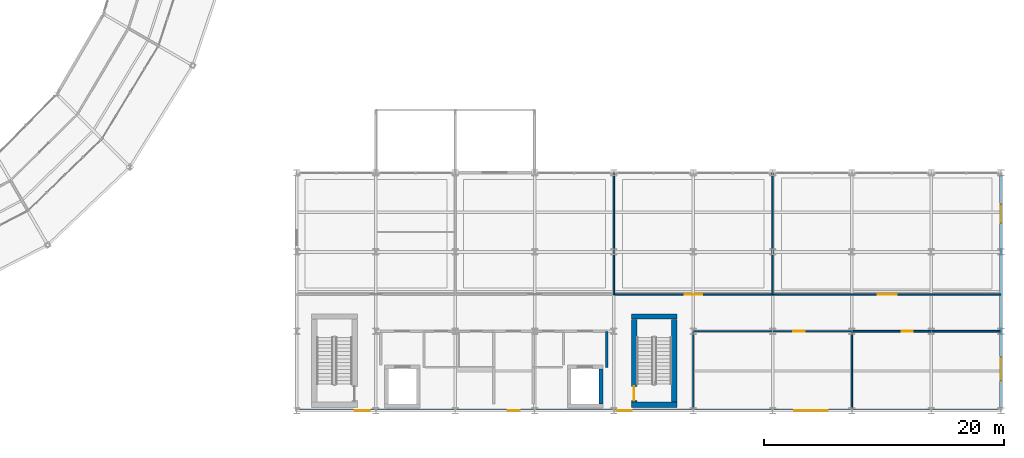
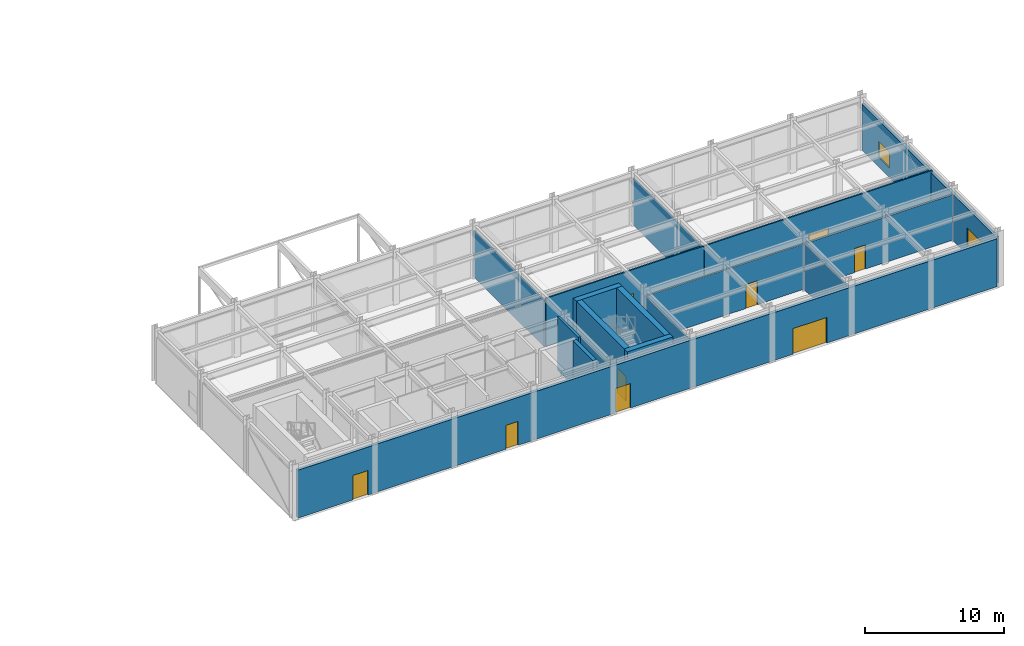
# One storey, part 129 of 144: 16 walls, 9 doors, 2 windows, 11 openings.
"""IFC4 building model written with IfcOpenShell, lengths in metres."""

from ifc_helpers import new_model, si_unit, direction, frame, frame_2d, origin, place, context, subcontext, project, spatial, rectangle, extrude, material, layer, layer_set, type_object, element, fill, save


model = new_model("IFC4")

# Units and contexts
model_context = context("Model", 3, precision=1e-05, world=origin(), true_north=direction((0.0, 1.0)))
body_context = subcontext(model_context, "Body", "Model", "MODEL_VIEW")
ifc_project = project(units=[si_unit("LENGTHUNIT", "METRE"), si_unit("AREAUNIT", "SQUARE_METRE"), si_unit("VOLUMEUNIT", "CUBIC_METRE"), si_unit("PLANEANGLEUNIT", "RADIAN"), si_unit("MASSUNIT", "GRAM", prefix="KILO")], contexts=[model_context])

# Site, building, storey
site_placement = place(None, origin())
site = spatial("IfcSite", under=ifc_project, at=site_placement, CompositionType="ELEMENT")
building_placement = place(site_placement, origin())
building = spatial("IfcBuilding", under=site, at=building_placement, Name="Karori Crest Natural Sciences Institute", CompositionType="ELEMENT")
storey_placement = place(building_placement, origin())
storey = spatial("IfcBuildingStorey", under=building, at=storey_placement, Name="L00", CompositionType="ELEMENT", Elevation=0.0)

# Walls
ifc_material_1 = material(Name="Concrete 50 MPa", Category="concrete")
ifc_layer_1 = layer(ifc_material_1, 0.449951171875, Name="Concrete 50 MPa")
ifc_layer_set_1 = layer_set([ifc_layer_1], Name="Concrete 50 MPa")
wall_type_1 = type_object("IfcWallType", Name="IWT-01", PredefinedType="SHEAR", material=ifc_layer_set_1)
for number, where, z_axis, x_axis, name in (
    (1, (131.449951171875, 1.27490234375, 0.0), (0.0, 0.0, 1.0), (1.0, 0.0, 0.0), "Shear wall IW-0121"),
    (2, (131.449951171875, 8.625, 0.0), (0.0, 0.0, 1.0), (1.0, 0.0, 0.0), "Shear wall IW-0122"),
):
    element("IfcWall", number, at=place(storey_placement, frame(where, z_axis=z_axis, x_axis=x_axis)), inside=storey, type_object=wall_type_1, Name=name, PredefinedType="SHEAR", context=body_context, shape_type="SweptSolid", body=[
        extrude(rectangle(XDim=3.800048828125, YDim=0.449951171875, at=frame_2d((1.89990234375, 0.0))), origin(), (0.0, 0.0, 1.0), 4.719970703125),
    ])

# Wall, opening, door
wall_1_placement = place(storey_placement, frame((131.675048828125, 1.501953125, 0.0), z_axis=(0.0, 0.0, 1.0), x_axis=(0.0, 1.0, 0.0)))
wall_1 = element("IfcWall", 3, at=wall_1_placement, inside=storey, type_object=wall_type_1, Name="Shear wall IW-0123", PredefinedType="SHEAR", context=body_context, shape_type="SweptSolid", body=[
    extrude(rectangle(XDim=6.89599609375, YDim=0.449951171875, at=frame_2d((3.447998046875, 0.0))), origin(), (0.0, 0.0, 1.0), 4.719970703125),
])
opening_1_placement = place(wall_1_placement, frame((0.1201171875, 0.0, 0.0)))
opening_1 = element("IfcOpeningElement", 4, at=opening_1_placement, cuts=wall_1, Name="Opening ID-0031", PredefinedType="OPENING", context=body_context, shape_type="SweptSolid", body=[
    extrude(rectangle(XDim=1.199951171875, YDim=2.14990234375, at=frame_2d((0.60009765625, 1.074951171875))), frame((0.0, 0.23486328125, 0.0), z_axis=(0.0, -1.0, 0.0), x_axis=(1.0, 0.0, 0.0)), (0.0, 0.0, 1.0), 0.469970703125),
])
ifc_material_2 = material(Name="Stainless steel 316 and fire-rated timber", Category="steel")
door_type_1 = type_object("IfcDoorType", Name="IDT-01", OperationType="NOTDEFINED", PredefinedType="DOOR", material=ifc_material_2)
door_1_placement = place(opening_1_placement, origin())
door_1 = element("IfcDoor", 5, at=door_1_placement, inside=storey, type_object=door_type_1, Name="Stair ST-04 fire door ID-0031", OperationType="SINGLE_SWING_LEFT", OverallHeight=2.14990234375, OverallWidth=1.199951171875, PredefinedType="DOOR", context=body_context, shape_type="SweptSolid", body=[
    extrude(rectangle(XDim=1.199951171875, YDim=2.14990234375, at=frame_2d((0.60009765625, 1.074951171875))), frame((0.0, 0.02490234375, 0.0), z_axis=(0.0, -1.0, 0.0), x_axis=(1.0, 0.0, 0.0)), (0.0, 0.0, 1.0), 0.050048828125),
])
fill(opening_1, door_1)

# Walls
wall_2_placement = place(storey_placement, frame((135.02490234375, 1.501953125, 0.0), z_axis=(0.0, 0.0, 1.0), x_axis=(0.0, 1.0, 0.0)))
element("IfcWall", 6, at=wall_2_placement, inside=storey, type_object=wall_type_1, Name="Shear wall IW-0124", PredefinedType="SHEAR", context=body_context, shape_type="SweptSolid", body=[
    extrude(rectangle(XDim=6.89599609375, YDim=0.449951171875, at=frame_2d((3.447998046875, 0.0))), origin(), (0.0, 0.0, 1.0), 4.719970703125),
])
ifc_layer_2 = layer(ifc_material_1, 0.320068359375, Name="Concrete 50 MPa")
ifc_layer_set_2 = layer_set([ifc_layer_2], Name="Concrete 50 MPa")
wall_type_2 = type_object("IfcWallType", Name="IWT-03", PredefinedType="SHEAR", material=ifc_layer_set_2)
wall_3_placement = place(storey_placement, frame((128.919921875, 1.342041015625, 0.0), z_axis=(0.0, 0.0, 1.0), x_axis=(0.0, 1.0, 0.0)))
element("IfcWall", 7, at=wall_3_placement, inside=storey, type_object=wall_type_2, Name="Shear wall IW-0360", PredefinedType="SHEAR", context=body_context, shape_type="SweptSolid", body=[
    extrude(rectangle(XDim=2.916015625, YDim=0.320068359375, at=frame_2d((1.4580078125, 0.0))), origin(), (0.0, 0.0, 1.0), 4.719970703125),
])
ifc_material_3 = material(Name="Concrete 40 MPa", Category="concrete")
ifc_layer_3 = layer(ifc_material_3, 0.199951171875, Name="Concrete 40 MPa")
ifc_layer_set_3 = layer_set([ifc_layer_3], Name="Concrete 40 MPa")
wall_type_3 = type_object("IfcWallType", Name="IWT-04", PredefinedType="SOLIDWALL", material=ifc_layer_set_3)
wall_4_placement = place(storey_placement, frame((129.39990234375, 4.39990234375, 0.0), z_axis=(0.0, 0.0, 1.0), x_axis=(0.0, 1.0, 0.0)))
element("IfcWall", 8, at=wall_4_placement, inside=storey, type_object=wall_type_3, Name="Partition wall IW-0580", PredefinedType="SOLIDWALL", context=body_context, shape_type="SweptSolid", body=[
    extrude(rectangle(XDim=3.0, YDim=0.199951171875, at=frame_2d((1.5, 0.0))), origin(), (0.0, 0.0, 1.0), 4.719970703125),
])

# Wall, opening, door
ifc_material_4 = material(Name="Acoustic steel-stud fireboard partition", Category="steel")
ifc_layer_4 = layer(ifc_material_4, 0.159912109375, Name="Acoustic steel-stud fireboard partition")
ifc_layer_set_4 = layer_set([ifc_layer_4], Name="Acoustic steel-stud fireboard partition")
wall_type_4 = type_object("IfcWallType", Name="IWT-05", PredefinedType="PARTITIONING", material=ifc_layer_set_4)
wall_5_placement = place(storey_placement, frame((149.802001953125, 7.39990234375, 0.0), z_axis=(0.0, 0.0, 1.0), x_axis=(1.0, 0.0, 0.0)))
wall_5 = element("IfcWall", 9, at=wall_5_placement, inside=storey, type_object=wall_type_4, Name="Partition wall IW-0594", PredefinedType="PARTITIONING", context=body_context, shape_type="SweptSolid", body=[
    extrude(rectangle(XDim=12.39794921875, YDim=0.159912109375, at=frame_2d((6.198974609375, 0.0))), origin(), (0.0, 0.0, 1.0), 3.992919921875),
])
opening_2_placement = place(wall_5_placement, frame((4.138916015625, 0.0, 0.0)))
opening_2 = element("IfcOpeningElement", 10, at=opening_2_placement, cuts=wall_5, Name="Opening ID-0094", PredefinedType="OPENING", context=body_context, shape_type="SweptSolid", body=[
    extrude(rectangle(XDim=0.919921875, YDim=2.1201171875, at=frame_2d((0.4599609375, 1.06005859375))), frame((0.0, 0.08984375, 0.0), z_axis=(0.0, -1.0, 0.0), x_axis=(1.0, 0.0, 0.0)), (0.0, 0.0, 1.0), 0.179931640625),
])
door_type_2 = type_object("IfcDoorType", Name="IDT-14", OperationType="NOTDEFINED", PredefinedType="DOOR", material=ifc_material_2)
door_2_placement = place(opening_2_placement, origin())
door_2 = element("IfcDoor", 11, at=door_2_placement, inside=storey, type_object=door_type_2, Name="Secure Cycle Store door ID-0094", OperationType="SINGLE_SWING_RIGHT", OverallHeight=2.1201171875, OverallWidth=0.919921875, PredefinedType="DOOR", context=body_context, shape_type="SweptSolid", body=[
    extrude(rectangle(XDim=0.919921875, YDim=2.1201171875, at=frame_2d((0.4599609375, 1.06005859375))), frame((0.0, 0.02490234375, 0.0), z_axis=(0.0, -1.0, 0.0), x_axis=(1.0, 0.0, 0.0)), (0.0, 0.0, 1.0), 0.050048828125),
])
fill(opening_2, door_2)

ifc_material_5 = material(Name="Write-up office acoustic partition")
ifc_layer_5 = layer(ifc_material_5, 0.1201171875, Name="Write-up office acoustic partition")
ifc_layer_set_5 = layer_set([ifc_layer_5], Name="Write-up office acoustic partition")
wall_type_5 = type_object("IfcWallType", Name="IWT-08", PredefinedType="PARTITIONING", material=ifc_layer_set_5)
wall_6_placement = place(storey_placement, frame((136.60009765625, 7.39990234375, 0.0), z_axis=(0.0, 0.0, 1.0), x_axis=(1.0, 0.0, 0.0)))
wall_6 = element("IfcWall", 12, at=wall_6_placement, inside=storey, type_object=wall_type_5, Name="Partition wall IW-0591", PredefinedType="PARTITIONING", context=body_context, shape_type="SweptSolid", body=[
    extrude(rectangle(XDim=13.199951171875, YDim=0.1201171875, at=frame_2d((6.60009765625, 0.0))), origin(), (0.0, 0.0, 1.0), 3.992919921875),
])
opening_3_placement = place(wall_6_placement, frame((8.324951171875, 0.0, 0.0)))
opening_3 = element("IfcOpeningElement", 13, at=opening_3_placement, cuts=wall_6, Name="Opening ID-0093", PredefinedType="OPENING", context=body_context, shape_type="SweptSolid", body=[
    extrude(rectangle(XDim=0.949951171875, YDim=2.10009765625, at=frame_2d((0.47509765625, 1.050048828125))), frame((0.0, 0.070068359375, 0.0), z_axis=(0.0, -1.0, 0.0), x_axis=(1.0, 0.0, 0.0)), (0.0, 0.0, 1.0), 0.14013671875),
])
ifc_material_6 = material(Name="Anodised aluminium and acoustic timber", Category="wood")
door_type_3 = type_object("IfcDoorType", Name="IDT-08", OperationType="NOTDEFINED", PredefinedType="DOOR", material=ifc_material_6)
door_3_placement = place(opening_3_placement, origin())
door_3 = element("IfcDoor", 14, at=door_3_placement, inside=storey, type_object=door_type_3, Name="Service Loading Dock and Goods Receiving door ID-0093", OperationType="SINGLE_SWING_LEFT", OverallHeight=2.10009765625, OverallWidth=0.949951171875, PredefinedType="DOOR", context=body_context, shape_type="SweptSolid", body=[
    extrude(rectangle(XDim=0.949951171875, YDim=2.10009765625, at=frame_2d((0.47509765625, 1.050048828125))), frame((0.0, 0.02490234375, 0.0), z_axis=(0.0, -1.0, 0.0), x_axis=(1.0, 0.0, 0.0)), (0.0, 0.0, 1.0), 0.050048828125),
])
fill(opening_3, door_3)

# Walls
wall_7_placement = place(storey_placement, frame((136.60009765625, 0.94189453125, 0.0), z_axis=(0.0, 0.0, 1.0), x_axis=(0.0, 1.0, 0.0)))
element("IfcWall", 15, at=wall_7_placement, inside=storey, type_object=wall_type_5, Name="Partition wall IW-0592", PredefinedType="PARTITIONING", context=body_context, shape_type="SweptSolid", body=[
    extrude(rectangle(XDim=6.39599609375, YDim=0.1201171875, at=frame_2d((3.197998046875, 0.0))), origin(), (0.0, 0.0, 1.0), 4.072021484375),
])
wall_8_placement = place(storey_placement, frame((149.800048828125, 0.94189453125, 0.0), z_axis=(0.0, 0.0, 1.0), x_axis=(0.0, 1.0, 0.0)))
element("IfcWall", 16, at=wall_8_placement, inside=storey, type_object=wall_type_5, Name="Partition wall IW-0593", PredefinedType="PARTITIONING", context=body_context, shape_type="SweptSolid", body=[
    extrude(rectangle(XDim=6.4580078125, YDim=0.1201171875, at=frame_2d((3.22900390625, 0.0))), origin(), (0.0, 0.0, 1.0), 4.072021484375),
])
wall_9_placement = place(storey_placement, frame((130.0, 10.449951171875, 0.0), z_axis=(0.0, 0.0, 1.0), x_axis=(0.0, 1.0, 0.0)))
element("IfcWall", 17, at=wall_9_placement, inside=storey, type_object=wall_type_5, Name="Partition wall IW-0598", PredefinedType="PARTITIONING", context=body_context, shape_type="SweptSolid", body=[
    extrude(rectangle(XDim=10.150146484375, YDim=0.1201171875, at=frame_2d((5.0751953125, 0.0))), origin(), (0.0, 0.0, 1.0), 4.072021484375),
])

# Wall, opening, door
wall_10_placement = place(storey_placement, frame((130.06201171875, 10.449951171875, 0.0), z_axis=(0.0, 0.0, 1.0), x_axis=(1.0, 0.0, 0.0)))
wall_10 = element("IfcWall", 18, at=wall_10_placement, inside=storey, type_object=wall_type_5, Name="Partition wall IW-0599", PredefinedType="PARTITIONING", context=body_context, shape_type="SweptSolid", body=[
    extrude(rectangle(XDim=13.137939453125, YDim=0.1201171875, at=frame_2d((6.56884765625, 0.0))), origin(), (0.0, 0.0, 1.0), 4.24609375),
])
opening_4_placement = place(wall_10_placement, frame((5.843994140625, 0.0, 0.0)))
opening_4 = element("IfcOpeningElement", 19, at=opening_4_placement, cuts=wall_10, Name="Opening ID-0097", PredefinedType="OPENING", context=body_context, shape_type="SweptSolid", body=[
    extrude(rectangle(XDim=1.449951171875, YDim=2.1201171875, at=frame_2d((0.72509765625, 1.06005859375))), frame((0.0, 0.070068359375, 0.0), z_axis=(0.0, -1.0, 0.0), x_axis=(1.0, 0.0, 0.0)), (0.0, 0.0, 1.0), 0.14013671875),
])
door_type_4 = type_object("IfcDoorType", Name="IDT-11", OperationType="DOUBLE_DOOR_SINGLE_SWING", PredefinedType="DOOR", material=ifc_material_6)
door_4_placement = place(opening_4_placement, origin())
door_4 = element("IfcDoor", 20, at=door_4_placement, inside=storey, type_object=door_type_4, Name="Research Library Reading Room door ID-0097", OperationType="DOUBLE_DOOR_SINGLE_SWING", OverallHeight=2.1201171875, OverallWidth=1.449951171875, PredefinedType="DOOR", context=body_context, shape_type="SweptSolid", body=[
    extrude(rectangle(XDim=1.449951171875, YDim=2.1201171875, at=frame_2d((0.72509765625, 1.06005859375))), frame((0.0, 0.02490234375, 0.0), z_axis=(0.0, -1.0, 0.0), x_axis=(1.0, 0.0, 0.0)), (0.0, 0.0, 1.0), 0.050048828125),
])
fill(opening_4, door_4)

# Wall
wall_11_placement = place(storey_placement, frame((143.199951171875, 10.449951171875, 0.0), z_axis=(0.0, 0.0, 1.0), x_axis=(0.0, 1.0, 0.0)))
element("IfcWall", 21, at=wall_11_placement, inside=storey, type_object=wall_type_5, Name="Partition wall IW-0600", PredefinedType="PARTITIONING", context=body_context, shape_type="SweptSolid", body=[
    extrude(rectangle(XDim=10.150146484375, YDim=0.1201171875, at=frame_2d((5.0751953125, 0.0))), origin(), (0.0, 0.0, 1.0), 4.072021484375),
])

# Wall, opening, door
wall_12_placement = place(storey_placement, frame((143.261962890625, 10.449951171875, 0.0), z_axis=(0.0, 0.0, 1.0), x_axis=(1.0, 0.0, 0.0)))
wall_12 = element("IfcWall", 22, at=wall_12_placement, inside=storey, type_object=wall_type_5, Name="Partition wall IW-0601", PredefinedType="PARTITIONING", context=body_context, shape_type="SweptSolid", body=[
    extrude(rectangle(XDim=18.93798828125, YDim=0.1201171875, at=frame_2d((9.468994140625, 0.0))), origin(), (0.0, 0.0, 1.0), 4.24609375),
])
opening_5_placement = place(wall_12_placement, frame((8.6689453125, 0.0, 0.0)))
opening_5 = element("IfcOpeningElement", 23, at=opening_5_placement, cuts=wall_12, Name="Opening ID-0098", PredefinedType="OPENING", context=body_context, shape_type="SweptSolid", body=[
    extrude(rectangle(XDim=1.60009765625, YDim=2.179931640625, at=frame_2d((0.800048828125, 1.08984375))), frame((0.0, 0.070068359375, 0.0), z_axis=(0.0, -1.0, 0.0), x_axis=(1.0, 0.0, 0.0)), (0.0, 0.0, 1.0), 0.14013671875),
])
door_type_5 = type_object("IfcDoorType", Name="IDT-13", OperationType="DOUBLE_DOOR_SINGLE_SWING", PredefinedType="DOOR", material=ifc_material_6)
door_5_placement = place(opening_5_placement, origin())
door_5 = element("IfcDoor", 24, at=door_5_placement, inside=storey, type_object=door_type_5, Name="Colloquium Suite door ID-0098", OperationType="DOUBLE_DOOR_SINGLE_SWING", OverallHeight=2.179931640625, OverallWidth=1.60009765625, PredefinedType="DOOR", context=body_context, shape_type="SweptSolid", body=[
    extrude(rectangle(XDim=1.60009765625, YDim=2.179931640625, at=frame_2d((0.800048828125, 1.08984375))), frame((0.0, 0.02490234375, 0.0), z_axis=(0.0, -1.0, 0.0), x_axis=(1.0, 0.0, 0.0)), (0.0, 0.0, 1.0), 0.050048828125),
])
fill(opening_5, door_5)

# Wall, openings, windows
ifc_material_7 = material(Name="Precast concrete 40 MPa", Category="concrete")
ifc_layer_6 = layer(ifc_material_7, 0.239990234375, Name="Precast concrete 40 MPa")
ifc_layer_set_6 = layer_set([ifc_layer_6], Name="Precast concrete 40 MPa")
wall_type_6 = type_object("IfcWallType", Name="WT-04", PredefinedType="SOLIDWALL", material=ifc_layer_set_6)
wall_13_placement = place(storey_placement, frame((162.199951171875, 20.35205078125, 0.0), z_axis=(0.0, 0.0, 1.0), x_axis=(0.0, -1.0, 0.0)))
wall_13 = element("IfcWall", 25, at=wall_13_placement, inside=storey, type_object=wall_type_6, Name="Exterior wall EW-0195", PredefinedType="SOLIDWALL", context=body_context, shape_type="SweptSolid", body=[
    extrude(rectangle(XDim=19.303955078125, YDim=0.239990234375, at=frame_2d((9.65185546875, 0.0))), origin(), (0.0, 0.0, 1.0), 4.072021484375),
])
opening_6_placement = place(wall_13_placement, frame((2.39990234375, 0.0, 0.85009765625)))
opening_6 = element("IfcOpeningElement", 26, at=opening_6_placement, cuts=wall_13, Name="Opening WN-0130", PredefinedType="OPENING", context=body_context, shape_type="SweptSolid", body=[
    extrude(rectangle(XDim=1.550048828125, YDim=1.39990234375, at=frame_2d((0.77490234375, 0.699951171875))), frame((0.0, 0.1298828125, 0.0), z_axis=(0.0, -1.0, 0.0), x_axis=(1.0, 0.0, 0.0)), (0.0, 0.0, 1.0), 0.260009765625),
])
opening_7_placement = place(wall_13_placement, frame((15.10009765625, 0.0, 0.85009765625)))
opening_7 = element("IfcOpeningElement", 27, at=opening_7_placement, cuts=wall_13, Name="Opening WN-0131", PredefinedType="OPENING", context=body_context, shape_type="SweptSolid", body=[
    extrude(rectangle(XDim=1.949951171875, YDim=1.5, at=frame_2d((0.97509765625, 0.75))), frame((0.0, 0.1298828125, 0.0), z_axis=(0.0, -1.0, 0.0), x_axis=(1.0, 0.0, 0.0)), (0.0, 0.0, 1.0), 0.260009765625),
])
ifc_material_8 = material(Name="Double low-E laminated glass", Category="glass")
window_type_1 = type_object("IfcWindowType", Name="WNT-04", PartitioningType="SINGLE_PANEL", PredefinedType="WINDOW", material=ifc_material_8)
window_1_placement = place(opening_6_placement, origin())
window_1 = element("IfcWindow", 28, at=window_1_placement, inside=storey, type_object=window_type_1, Name="Window WN-0130", OverallHeight=1.39990234375, OverallWidth=1.550048828125, PartitioningType="SINGLE_PANEL", PredefinedType="WINDOW", context=body_context, shape_type="SweptSolid", body=[
    extrude(rectangle(XDim=1.550048828125, YDim=1.39990234375, at=frame_2d((0.77490234375, 0.699951171875))), frame((0.0, 0.030029296875, 0.0), z_axis=(0.0, -1.0, 0.0), x_axis=(1.0, 0.0, 0.0)), (0.0, 0.0, 1.0), 0.06005859375),
])
fill(opening_6, window_1)
window_type_2 = type_object("IfcWindowType", Name="WNT-21", PartitioningType="SINGLE_PANEL", PredefinedType="WINDOW", material=ifc_material_8)
window_2_placement = place(opening_7_placement, origin())
window_2 = element("IfcWindow", 29, at=window_2_placement, inside=storey, type_object=window_type_2, Name="Window WN-0131", OverallHeight=1.5, OverallWidth=1.949951171875, PartitioningType="SINGLE_PANEL", PredefinedType="WINDOW", context=body_context, shape_type="SweptSolid", body=[
    extrude(rectangle(XDim=1.949951171875, YDim=1.5, at=frame_2d((0.97509765625, 0.75))), frame((0.0, 0.030029296875, 0.0), z_axis=(0.0, -1.0, 0.0), x_axis=(1.0, 0.0, 0.0)), (0.0, 0.0, 1.0), 0.06005859375),
])
fill(opening_7, window_2)

# Wall, openings, doors
wall_14_placement = place(storey_placement, frame((161.951904296875, 0.800048828125, 0.0), z_axis=(0.0, 0.0, 1.0), x_axis=(-1.0, 0.0, 0.0)))
wall_14 = element("IfcWall", 30, at=wall_14_placement, inside=storey, type_object=wall_type_6, Name="Exterior wall EW-0196", PredefinedType="SOLIDWALL", context=body_context, shape_type="SweptSolid", body=[
    extrude(rectangle(XDim=58.10400390625, YDim=0.239990234375, at=frame_2d((29.052001953125, 0.0))), origin(), (0.0, 0.0, 1.0), 4.205078125),
])
opening_8_placement = place(wall_14_placement, frame((52.251953125, 0.0, 0.0)))
opening_8 = element("IfcOpeningElement", 31, at=opening_8_placement, cuts=wall_14, Name="Opening ED-0025", PredefinedType="OPENING", context=body_context, shape_type="SweptSolid", body=[
    extrude(rectangle(XDim=1.25, YDim=2.14990234375, at=frame_2d((0.625, 1.074951171875))), frame((0.0, 0.1298828125, 0.0), z_axis=(0.0, -1.0, 0.0), x_axis=(1.0, 0.0, 0.0)), (0.0, 0.0, 1.0), 0.260009765625),
])
opening_9_placement = place(wall_14_placement, frame((30.451904296875, 0.0, 0.0)))
opening_9 = element("IfcOpeningElement", 32, at=opening_9_placement, cuts=wall_14, Name="Opening ED-0026", PredefinedType="OPENING", context=body_context, shape_type="SweptSolid", body=[
    extrude(rectangle(XDim=1.25, YDim=2.14990234375, at=frame_2d((0.625, 1.074951171875))), frame((0.0, 0.1298828125, 0.0), z_axis=(0.0, -1.0, 0.0), x_axis=(1.0, 0.0, 0.0)), (0.0, 0.0, 1.0), 0.260009765625),
])
opening_10_placement = place(wall_14_placement, frame((39.802001953125, 0.0, 0.0)))
opening_10 = element("IfcOpeningElement", 33, at=opening_10_placement, cuts=wall_14, Name="Opening ED-0027", PredefinedType="OPENING", context=body_context, shape_type="SweptSolid", body=[
    extrude(rectangle(XDim=1.0, YDim=2.10009765625, at=frame_2d((0.5, 1.050048828125))), frame((0.0, 0.1298828125, 0.0), z_axis=(0.0, -1.0, 0.0), x_axis=(1.0, 0.0, 0.0)), (0.0, 0.0, 1.0), 0.260009765625),
])
opening_11_placement = place(wall_14_placement, frame((14.152099609375, 0.0, 0.0)))
opening_11 = element("IfcOpeningElement", 34, at=opening_11_placement, cuts=wall_14, Name="Opening ED-0028", PredefinedType="OPENING", context=body_context, shape_type="SweptSolid", body=[
    extrude(rectangle(XDim=2.800048828125, YDim=2.25, at=frame_2d((1.39990234375, 1.125))), frame((0.0, 0.1298828125, 0.0), z_axis=(0.0, -1.0, 0.0), x_axis=(1.0, 0.0, 0.0)), (0.0, 0.0, 1.0), 0.260009765625),
])
ifc_material_9 = material(Name="Anodised architectural aluminium 6063-T6", Category="aluminium")
door_type_6 = type_object("IfcDoorType", Name="EDT-03", OperationType="NOTDEFINED", PredefinedType="DOOR", material=ifc_material_9)
door_6_placement = place(opening_8_placement, origin())
door_6 = element("IfcDoor", 35, at=door_6_placement, inside=storey, type_object=door_type_6, Name="West core final exit door ED-0025", OperationType="SINGLE_SWING_LEFT", OverallHeight=2.14990234375, OverallWidth=1.25, PredefinedType="DOOR", context=body_context, shape_type="SweptSolid", body=[
    extrude(rectangle(XDim=1.25, YDim=2.14990234375, at=frame_2d((0.625, 1.074951171875))), frame((0.0, 0.02490234375, 0.0), z_axis=(0.0, -1.0, 0.0), x_axis=(1.0, 0.0, 0.0)), (0.0, 0.0, 1.0), 0.050048828125),
])
fill(opening_8, door_6)
door_7_placement = place(opening_9_placement, origin())
door_7 = element("IfcDoor", 36, at=door_7_placement, inside=storey, type_object=door_type_6, Name="East core final exit door ED-0026", OperationType="SINGLE_SWING_RIGHT", OverallHeight=2.14990234375, OverallWidth=1.25, PredefinedType="DOOR", context=body_context, shape_type="SweptSolid", body=[
    extrude(rectangle(XDim=1.25, YDim=2.14990234375, at=frame_2d((0.625, 1.074951171875))), frame((0.0, 0.02490234375, 0.0), z_axis=(0.0, -1.0, 0.0), x_axis=(1.0, 0.0, 0.0)), (0.0, 0.0, 1.0), 0.050048828125),
])
fill(opening_9, door_7)
door_type_7 = type_object("IfcDoorType", Name="EDT-08", OperationType="DOUBLE_DOOR_SINGLE_SWING", PredefinedType="GATE", material=ifc_material_9)
door_8_placement = place(opening_11_placement, origin())
door_8 = element("IfcDoor", 37, at=door_8_placement, inside=storey, type_object=door_type_7, Name="Loading dock street gate ED-0028", OperationType="DOUBLE_DOOR_SINGLE_SWING", OverallHeight=2.25, OverallWidth=2.800048828125, PredefinedType="GATE", context=body_context, shape_type="SweptSolid", body=[
    extrude(rectangle(XDim=2.800048828125, YDim=2.25, at=frame_2d((1.39990234375, 1.125))), frame((0.0, 0.02490234375, 0.0), z_axis=(0.0, -1.0, 0.0), x_axis=(1.0, 0.0, 0.0)), (0.0, 0.0, 1.0), 0.050048828125),
])
fill(opening_11, door_8)
door_type_8 = type_object("IfcDoorType", Name="EDT-09", OperationType="NOTDEFINED", PredefinedType="DOOR", material=ifc_material_9)
door_9_placement = place(opening_10_placement, origin())
door_9 = element("IfcDoor", 38, at=door_9_placement, inside=storey, type_object=door_type_8, Name="Fire control room street door ED-0027", OperationType="SINGLE_SWING_LEFT", OverallHeight=2.10009765625, OverallWidth=1.0, PredefinedType="DOOR", context=body_context, shape_type="SweptSolid", body=[
    extrude(rectangle(XDim=1.0, YDim=2.10009765625, at=frame_2d((0.5, 1.050048828125))), frame((0.0, 0.02490234375, 0.0), z_axis=(0.0, -1.0, 0.0), x_axis=(1.0, 0.0, 0.0)), (0.0, 0.0, 1.0), 0.050048828125),
])
fill(opening_10, door_9)

save(model, "model.ifc")
